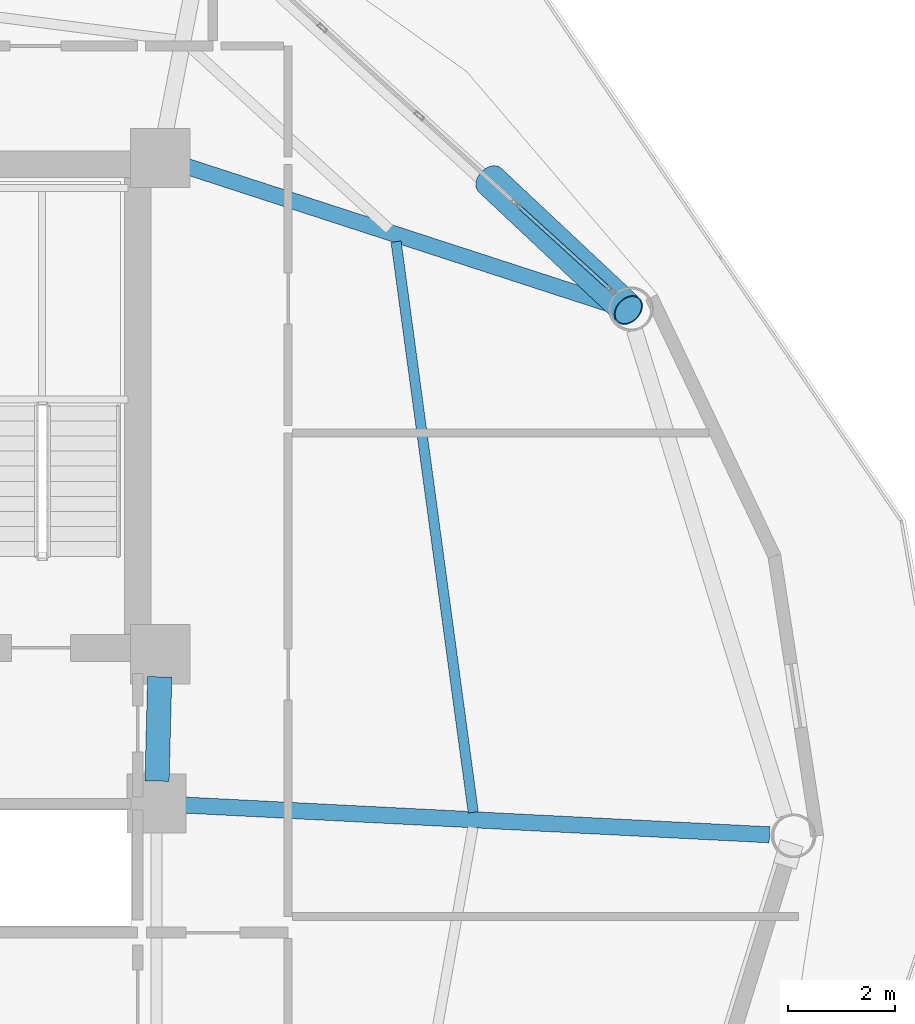
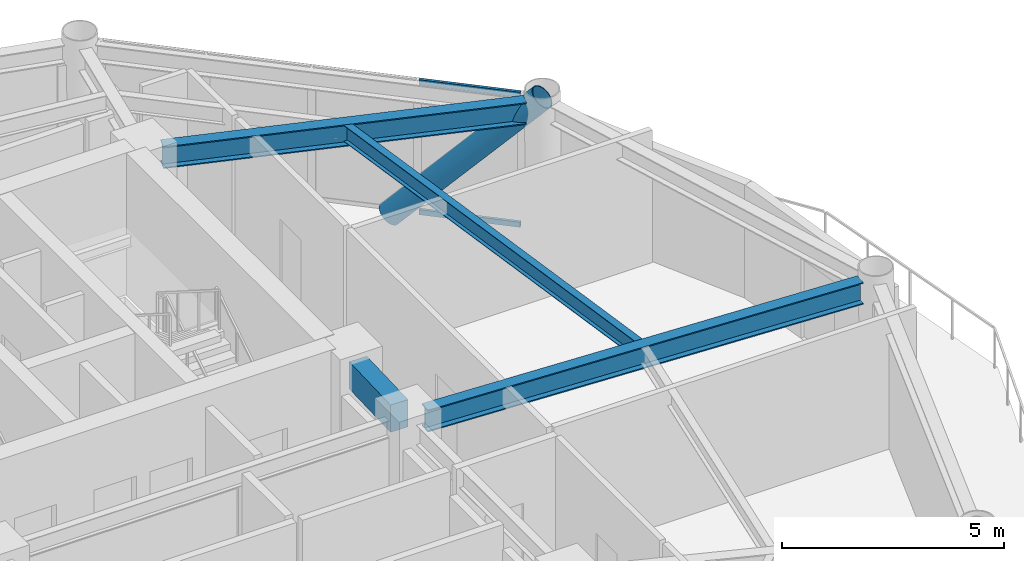
# One storey, part 14 of 26: 4 beams, 3 members, 1 element without a shape of its own.
"""IFC4 building model written with IfcOpenShell, lengths in metres."""

from ifc_helpers import new_model, si_unit, direction, frame, origin, origin_2d, place, context, subcontext, project, spatial, rectangle, hollow_rectangle, hollow_circle, i_section, extrude, material, layer, layer_set, material_profile, profile_set, type_object, element, aggregate, save


model = new_model("IFC4")

# Units and contexts
model_context = context("Model", 3, precision=1e-05, world=origin(), true_north=direction((0.0, 1.0)))
body_context = subcontext(model_context, "Body", "Model", "MODEL_VIEW")
ifc_project = project(units=[si_unit("LENGTHUNIT", "METRE"), si_unit("AREAUNIT", "SQUARE_METRE"), si_unit("VOLUMEUNIT", "CUBIC_METRE"), si_unit("PLANEANGLEUNIT", "RADIAN"), si_unit("MASSUNIT", "GRAM", prefix="KILO")], contexts=[model_context])

# Site, building, storey
site_placement = place(None, origin())
site = spatial("IfcSite", under=ifc_project, at=site_placement, CompositionType="ELEMENT")
building_placement = place(site_placement, origin())
building = spatial("IfcBuilding", under=site, at=building_placement, Name="Varnakorn Sky Granary", CompositionType="ELEMENT")
storey_placement = place(building_placement, frame((0.0, 0.0, 95.39990234375)))
storey = spatial("IfcBuildingStorey", under=building, at=storey_placement, Name="L23", CompositionType="ELEMENT", Elevation=95.39990234375)

# Beams
ifc_material_1 = material(Name="Concrete C60/75", Category="concrete")
ifc_material_profile_1 = material_profile(ifc_material_1, rectangle(XDim=0.449951171875, YDim=0.75, at=origin_2d()), Name="RC 450x750")
ifc_profile_set_1 = profile_set([ifc_material_profile_1], Name="Concrete C60/75")
beam_type_1 = type_object("IfcBeamType", Name="BM-LIN-750", PredefinedType="LINTEL", material=ifc_profile_set_1)
beam_1_placement = place(storey_placement, frame((8.409423828125, 2.960205078125, 3.26513671875), z_axis=(-0.025158763514, -0.999683468213, 0.0), x_axis=(0.999683468213, -0.025158763514, 0.0)))
element("IfcBeam", 1, at=beam_1_placement, inside=storey, type_object=beam_type_1, Name="Core Spine Framing Beam 2 L23", PredefinedType="LINTEL", context=body_context, shape_type="SweptSolid", body=[
    extrude(rectangle(XDim=0.449951171875, YDim=0.75, at=origin_2d()), origin(), (0.0, 0.0, 1.0), 1.94091796875),
])
ifc_material_2 = material(Name="Steel S355JR", Category="steel")
ifc_material_profile_2 = material_profile(ifc_material_2, i_section(OverallWidth=0.300048828125, OverallDepth=0.60009765625, WebThickness=0.015380859375, FlangeThickness=0.030029296875, at=origin_2d()), Name="HE 600 B")
ifc_profile_set_2 = profile_set([ifc_material_profile_2], Name="Steel S355JR")
beam_type_2 = type_object("IfcBeamType", Name="BM-RAD-Z2", PredefinedType="BEAM", material=ifc_profile_set_2)
beam_2_placement = place(storey_placement, frame((8.76953125, 0.57861328125, 3.340087890625), z_axis=(0.998710665603, -0.050764223733, 0.0), x_axis=(0.050764223733, 0.998710665603, 0.0)))
element("IfcBeam", 2, at=beam_2_placement, inside=storey, type_object=beam_type_2, Name="Radial Floor Girder RG01 L23", PredefinedType="BEAM", context=body_context, shape_type="SweptSolid", body=[
    extrude(i_section(OverallWidth=0.300048828125, OverallDepth=0.60009765625, WebThickness=0.015380859375, FlangeThickness=0.030029296875, at=origin_2d()), origin(), (0.0, 0.0, 1.0), 11.003662109375),
])
beam_3_placement = place(storey_placement, frame((8.8193359375, 12.489990234375, 3.340087890625), z_axis=(0.950956261122, -0.309325377934, 0.0), x_axis=(0.309325377934, 0.950956261122, 0.0)))
element("IfcBeam", 3, at=beam_3_placement, inside=storey, type_object=beam_type_2, Name="Radial Floor Girder RG02 L23", PredefinedType="BEAM", context=body_context, shape_type="SweptSolid", body=[
    extrude(i_section(OverallWidth=0.300048828125, OverallDepth=0.60009765625, WebThickness=0.015380859375, FlangeThickness=0.030029296875, at=origin_2d()), origin(), (0.0, 0.0, 1.0), 8.350341796875),
])
ifc_material_profile_3 = material_profile(ifc_material_2, i_section(OverallWidth=0.18994140625, OverallDepth=0.449951171875, WebThickness=0.009521484375, FlangeThickness=0.0146484375, at=origin_2d()), Name="IPE 450")
ifc_profile_set_3 = profile_set([ifc_material_profile_3], Name="Steel S355JR")
beam_type_3 = type_object("IfcBeamType", Name="BM-SEC-Z2", PredefinedType="BEAM", material=ifc_profile_set_3)
beam_4_placement = place(storey_placement, frame((14.24560546875, 0.43798828125, 3.4150390625), z_axis=(-0.134067221452, 0.990972239839, 0.0), x_axis=(-0.990972239839, -0.134067221452, 0.0)))
element("IfcBeam", 4, at=beam_4_placement, inside=storey, type_object=beam_type_3, Name="Secondary Floor Chord Beam MSB01 L23", PredefinedType="BEAM", context=body_context, shape_type="SweptSolid", body=[
    extrude(i_section(OverallWidth=0.18994140625, OverallDepth=0.449951171875, WebThickness=0.009521484375, FlangeThickness=0.0146484375, at=origin_2d()), origin(), (0.0, 0.0, 1.0), 10.718505859375),
])

# Curtain wall, members
ifc_material_3 = material(Name="Anodised Bronze Aluminium Alloy 6063-T6", Category="aluminium")
ifc_layer = layer(ifc_material_3, 0.18994140625, Name="Anodised Bronze Aluminium Alloy 6063-T6")
ifc_layer_set = layer_set([ifc_layer], Name="Anodised Bronze Aluminium Alloy 6063-T6")
curtain_wall_type = type_object("IfcCurtainWallType", Name="CW-FRM-1", PredefinedType="USERDEFINED", material=ifc_layer_set)
curtain_wall_placement = place(storey_placement, origin())
curtain_wall = element("IfcCurtainWall", 5, at=curtain_wall_placement, inside=storey, type_object=curtain_wall_type, Name="Unitised Curtain Wall CW3 CW-L23-B02", ObjectType="CURTAIN WALL", PredefinedType="USERDEFINED")
ifc_material_profile_4 = material_profile(ifc_material_3, hollow_rectangle(XDim=0.070068359375, YDim=0.139892578125, WallThickness=0.00341796875, at=origin_2d()), Name="ALU TRAN 70x140")
ifc_profile_set_4 = profile_set([ifc_material_profile_4], Name="Anodised Bronze Aluminium Alloy 6063-T6")
member_type_1 = type_object("IfcMemberType", Name="CW-FRM-1-TRAN", PredefinedType="USERDEFINED", material=ifc_profile_set_4)
member_1_placement = place(storey_placement, frame((15.069091796875, 11.73876953125, 0.03515625), z_axis=(0.739930593984, -0.672683221201, 0.0), x_axis=(0.672683221201, 0.739930593984, 0.0)))
member_1 = element("IfcMember", 6, at=member_1_placement, type_object=member_type_1, Name="CW3 transom 4.1", ObjectType="TRANSOM", PredefinedType="USERDEFINED", context=body_context, shape_type="SweptSolid", body=[
    extrude(hollow_rectangle(XDim=0.070068359375, YDim=0.139892578125, WallThickness=0.00341796875, at=origin_2d()), origin(), (0.0, 0.0, 1.0), 2.330810546875),
])
member_2_placement = place(storey_placement, frame((15.069091796875, 11.73876953125, 3.60498046875), z_axis=(0.739930593984, -0.672683221201, 0.0), x_axis=(0.672683221201, 0.739930593984, 0.0)))
member_2 = element("IfcMember", 7, at=member_2_placement, type_object=member_type_1, Name="CW3 transom 4.2", ObjectType="TRANSOM", PredefinedType="USERDEFINED", context=body_context, shape_type="SweptSolid", body=[
    extrude(hollow_rectangle(XDim=0.070068359375, YDim=0.139892578125, WallThickness=0.00341796875, at=origin_2d()), origin(), (0.0, 0.0, 1.0), 2.330810546875),
])
aggregate(curtain_wall, [member_1, member_2])

# Member
ifc_material_4 = material(Name="Steel S460M", Category="steel")
ifc_material_profile_5 = material_profile(ifc_material_4, hollow_circle(Radius=0.304931640625, WallThickness=0.022216796875, at=origin_2d()), Name="CHS 610x22")
ifc_profile_set_5 = profile_set([ifc_material_profile_5], Name="Steel S460M")
member_type_2 = type_object("IfcMemberType", Name="MB-DIAG-T1", PredefinedType="BRACE", material=ifc_profile_set_5)
member_3_placement = place(storey_placement, frame((14.557373046875, 12.203857421875, -0.1298828125), z_axis=(0.498454714674, -0.468021946732, 0.729724848691), x_axis=(0.684501882631, 0.729011092285, 0.0)))
element("IfcMember", 8, at=member_3_placement, inside=storey, type_object=member_type_2, Name="Perimeter CHS Diagrid Brace DG02 L23", PredefinedType="BRACE", context=body_context, shape_type="SweptSolid", body=[
    extrude(hollow_circle(Radius=0.304931640625, WallThickness=0.022216796875, at=origin_2d()), origin(), (0.0, 0.0, 1.0), 5.166259765625),
])

save(model, "model.ifc")
